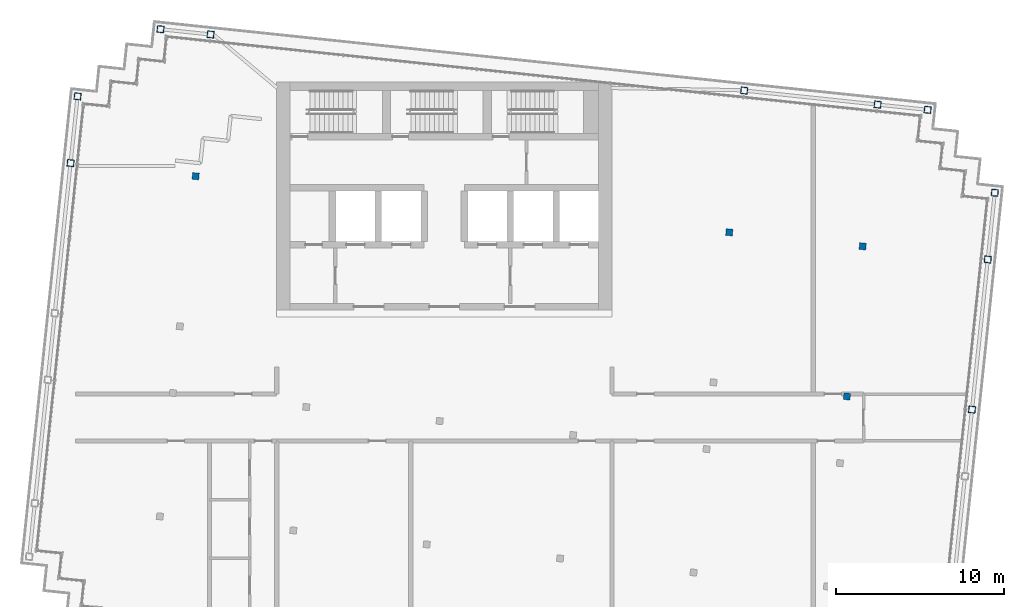
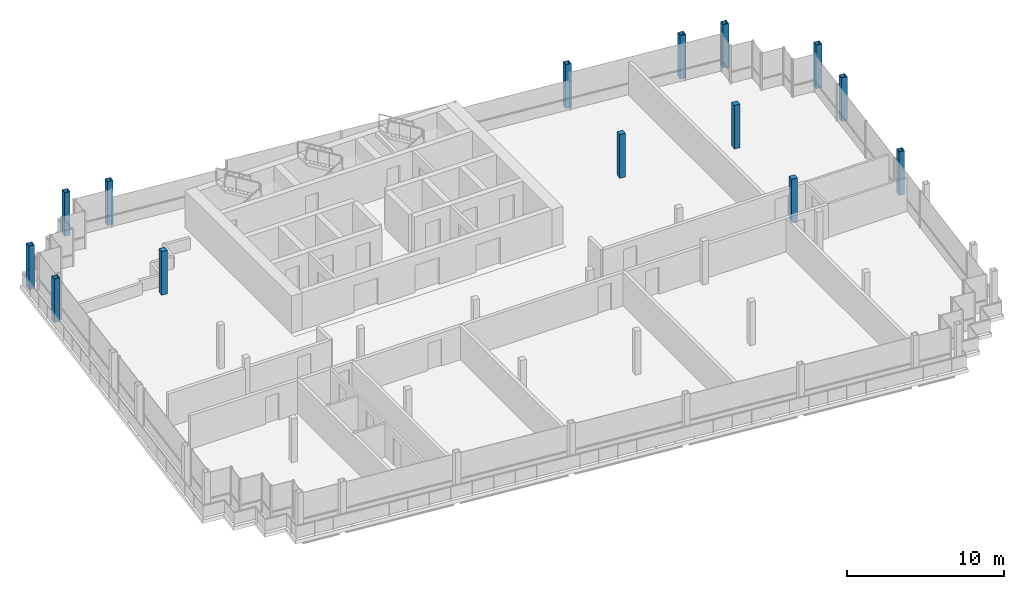
# One storey, part 2 of 15: 14 columns.
"""IFC4 building model written with IfcOpenShell, lengths in metres."""

import ifcopenshell
import ifcopenshell.guid

model = None  # the IFC model being written
_history = None  # IfcOwnerHistory: only IFC2X3 demands one
_inside = {}  # id of a spatial element -> (the spatial element, [elements in it])
_under = {}  # id of a project, library or spatial element -> (it, [spatial elements below it])
_declared = {}  # id of a project -> (the project, [libraries it declares])
_typed = {}  # id of a type object -> (the type object, [elements of that type])
_made_of = {}  # id of a material, layer set ... -> (it, [elements and type objects made of it])


def new_model(schema):
    """Start an empty IFC model of exactly this schema.

    Asked for "IFC4X3", IfcOpenShell would pick the latest addendum, in which some entities
    have other attributes; the version numbers below select the first issue.
    IFC2X3 requires an IfcOwnerHistory on every rooted entity: one is made here for all.
    """
    global model, _history
    if schema == "IFC4X3":
        model = ifcopenshell.file(schema_version=(4, 3, 0, 0))
    else:
        model = ifcopenshell.file(schema=schema)
    _inside.clear()
    _under.clear()
    _declared.clear()
    _typed.clear()
    _made_of.clear()
    _history = None
    if model.schema == "IFC2X3":
        org = make("IfcOrganization", Name="unknown")
        user = make(
            "IfcPersonAndOrganization",
            ThePerson=make("IfcPerson", FamilyName="unknown"),
            TheOrganization=org,
        )
        app = make(
            "IfcApplication",
            ApplicationDeveloper=org,
            Version="unknown",
            ApplicationFullName="unknown",
            ApplicationIdentifier="unknown",
        )
        _history = make(
            "IfcOwnerHistory",
            OwningUser=user,
            OwningApplication=app,
            ChangeAction="ADDED",
            CreationDate=0,
        )
    return model


def make(cls, **values):
    """One entity of the class cls with the attributes given. An attribute that is None is left unset."""
    return model.create_entity(
        cls, **{name: value for name, value in values.items() if value is not None}
    )


def rooted(cls, **values):
    """An entity with a GlobalId (a new one), such as an element, a storey or a relation."""
    return make(cls, GlobalId=ifcopenshell.guid.new(), OwnerHistory=_history, **values)


def si_unit(unit_type, name, prefix=None):
    """IfcSIUnit, for example si_unit("LENGTHUNIT", "METRE", prefix="MILLI")."""
    return make("IfcSIUnit", UnitType=unit_type, Prefix=prefix, Name=name)


def assignment(units):
    """IfcUnitAssignment: the units of a project."""
    return None if units is None else make("IfcUnitAssignment", Units=units)


def point(xyz):
    """IfcCartesianPoint."""
    return None if xyz is None else make("IfcCartesianPoint", Coordinates=xyz)


def direction(xyz):
    """IfcDirection."""
    return None if xyz is None else make("IfcDirection", DirectionRatios=xyz)


def frame(location, z_axis=None, x_axis=None):
    """IfcAxis2Placement3D, a coordinate frame: its origin and axes. An axis left out is left unset."""
    return make(
        "IfcAxis2Placement3D",
        Location=point(location),
        Axis=direction(z_axis),
        RefDirection=direction(x_axis),
    )


def frame_2d(location, x_axis=None):
    """IfcAxis2Placement2D, a coordinate frame in the plane: its origin and x axis."""
    return make(
        "IfcAxis2Placement2D", Location=point(location), RefDirection=direction(x_axis)
    )


def origin():
    """The frame at (0, 0, 0) with its axes left unset."""
    return frame((0.0, 0.0, 0.0))


def origin_2d():
    """The frame at (0, 0) in the plane with its x axis left unset."""
    return frame_2d((0.0, 0.0))


def place(relative_to, where):
    """IfcLocalPlacement: puts the frame where relative to a parent placement (None: the world)."""
    return make(
        "IfcLocalPlacement", PlacementRelTo=relative_to, RelativePlacement=where
    )


def context(
    kind, dimensions, precision=None, world=None, true_north=None, identifier=None
):
    """IfcGeometricRepresentationContext, for example the 3D "Model" context."""
    return make(
        "IfcGeometricRepresentationContext",
        ContextIdentifier=identifier,
        ContextType=kind,
        CoordinateSpaceDimension=dimensions,
        Precision=precision,
        WorldCoordinateSystem=world,
        TrueNorth=true_north,
    )


def subcontext(parent, identifier, kind, view, scale=None):
    """IfcGeometricRepresentationSubContext, for example "Body" below "Model"."""
    return make(
        "IfcGeometricRepresentationSubContext",
        ContextIdentifier=identifier,
        ContextType=kind,
        ParentContext=parent,
        TargetScale=scale,
        TargetView=view,
    )


def project(units=None, contexts=None):
    """IfcProject with its units and contexts."""
    return rooted(
        "IfcProject",
        Name="project",
        RepresentationContexts=contexts,
        UnitsInContext=assignment(units),
    )


def spatial(cls, under=None, at=None, **own):
    """A site, building, storey or space (cls), placed at a placement, below another one or the project."""
    s = rooted(cls, ObjectPlacement=at, **own)
    if under is not None:
        _under.setdefault(under.id(), (under, []))[1].append(s)
    return s


def profile(cls, at=None, kind="AREA", **sizes):
    """A parametric profile (cls). Its sizes go by their IFC names, for example OverallWidth=200.0."""
    return make(cls, ProfileType=kind, Position=at, **sizes)


def rectangle(**sizes):
    """IfcRectangleProfileDef."""
    return profile("IfcRectangleProfileDef", **sizes)


def hollow_rectangle(**sizes):
    """IfcRectangleHollowProfileDef."""
    return profile("IfcRectangleHollowProfileDef", **sizes)


def extrude(swept, where, along, depth):
    """IfcExtrudedAreaSolid: the profile swept, set in the frame where, extruded along a direction by depth."""
    return make(
        "IfcExtrudedAreaSolid",
        SweptArea=swept,
        Position=where,
        ExtrudedDirection=direction(along),
        Depth=depth,
    )


def shape(context_of_items, identifier, shape_type, items):
    """IfcShapeRepresentation: the items that make up one representation, for example the "Body"."""
    return make(
        "IfcShapeRepresentation",
        ContextOfItems=context_of_items,
        RepresentationIdentifier=identifier,
        RepresentationType=shape_type,
        Items=items,
    )


def material(Name=None, Category=None):
    """IfcMaterial."""
    return make("IfcMaterial", Name=Name, Category=Category)


def material_profile(
    of_material, cross_section, Name=None, Category=None, Priority=None
):
    """IfcMaterialProfile: a cross section and its material."""
    return make(
        "IfcMaterialProfile",
        Name=Name,
        Material=of_material,
        Profile=cross_section,
        Priority=Priority,
        Category=Category,
    )


def profile_set(profiles, Name=None, composite=None):
    """IfcMaterialProfileSet."""
    return make(
        "IfcMaterialProfileSet",
        Name=Name,
        MaterialProfiles=profiles,
        CompositeProfile=composite,
    )


def made_of(thing, what):
    """Note that an element or type object is made of a material, layer set ...; save() writes the relation."""
    if what is not None:
        _made_of.setdefault(what.id(), (what, []))[1].append(thing)
    return thing


def type_object(cls, material=None, **own):
    """A type object (cls), such as IfcWallType, which elements share."""
    return made_of(rooted(cls, **own), material)


def element(
    cls,
    number,
    at=None,
    inside=None,
    cuts=None,
    type_object=None,
    material=None,
    context=None,
    identifier="Body",
    shape_type=None,
    held_by="IfcProductDefinitionShape",
    body=None,
    shapes=None,
    **own,
):
    """One element of the class cls, such as IfcWall. Its Tag is "e" and its number.

    at: its placement. inside: the storey or other place that contains it. cuts: it is an
    opening in that element (IfcRelVoidsElement). A single representation is given by context,
    identifier, shape_type and body (its items); several are given by shapes. held_by: the class
    of the entity that holds the representations. save() writes the other relations.
    """
    e = rooted(cls, Tag="e%d" % number, ObjectPlacement=at, **own)
    if body is not None:
        shapes = [shape(context, identifier, shape_type, body)]
    if shapes is not None:
        e.Representation = make(held_by, Representations=shapes)
    if inside is not None:
        _inside.setdefault(inside.id(), (inside, []))[1].append(e)
    if cuts is not None:
        rooted(
            "IfcRelVoidsElement", RelatingBuildingElement=cuts, RelatedOpeningElement=e
        )
    if type_object is not None:
        _typed.setdefault(type_object.id(), (type_object, []))[1].append(e)
    return made_of(e, material)


def aggregate(whole, parts):
    """IfcRelAggregates: a whole, such as a stair, and the parts it consists of."""
    return rooted("IfcRelAggregates", RelatingObject=whole, RelatedObjects=parts)


def save(model, path):
    """Write the relations noted so far, then the file.

    IfcRelAggregates (storeys below a building ...), IfcRelContainedInSpatialStructure (elements
    in a storey), IfcRelDefinesByType, IfcRelAssociatesMaterial and IfcRelDeclares: one each for
    every whole, place, type object, material and project.
    """
    for whole, parts in _under.values():
        aggregate(whole, parts)
    for where, things in _inside.values():
        rooted(
            "IfcRelContainedInSpatialStructure",
            RelatedElements=things,
            RelatingStructure=where,
        )
    for kind, things in _typed.values():
        rooted("IfcRelDefinesByType", RelatedObjects=things, RelatingType=kind)
    for what, things in _made_of.values():
        rooted("IfcRelAssociatesMaterial", RelatedObjects=things, RelatingMaterial=what)
    for by, libraries in _declared.values():
        rooted("IfcRelDeclares", RelatingContext=by, RelatedDefinitions=libraries)
    model.write(path)


model = new_model("IFC4")

# Units and contexts
model_context = context("Model", 3, precision=1e-05, world=origin(), true_north=direction((0.0, 1.0)))
body_context = subcontext(model_context, "Body", "Model", "MODEL_VIEW")
ifc_project = project(units=[si_unit("LENGTHUNIT", "METRE"), si_unit("AREAUNIT", "SQUARE_METRE"), si_unit("VOLUMEUNIT", "CUBIC_METRE"), si_unit("PLANEANGLEUNIT", "RADIAN"), si_unit("MASSUNIT", "GRAM", prefix="KILO")], contexts=[model_context])

# Site, building, storey
site_placement = place(None, origin())
site = spatial("IfcSite", under=ifc_project, at=site_placement, CompositionType="ELEMENT")
building_placement = place(site_placement, origin())
building = spatial("IfcBuilding", under=site, at=building_placement, Name="Vidyagriha Tower", CompositionType="ELEMENT")
storey_placement = place(building_placement, frame((0.0, 0.0, 298.300048828125)))
storey = spatial("IfcBuildingStorey", under=building, at=storey_placement, Name="L77", CompositionType="ELEMENT", Elevation=298.300048828125)

# Columns
ifc_material_1 = material(Name="Steel ASTM A572 Grade 50", Category="steel")
ifc_material_profile_1 = material_profile(ifc_material_1, hollow_rectangle(XDim=0.39990234375, YDim=0.39990234375, WallThickness=0.02001953125, at=origin_2d()), Name="BOX 400x400x20")
ifc_profile_set_1 = profile_set([ifc_material_profile_1], Name="Steel ASTM A572 Grade 50")
column_type_1 = type_object("IfcColumnType", Name="Exoskeleton column BOX 400x400x20", PredefinedType="COLUMN", material=ifc_profile_set_1)
for number, where, z_axis, x_axis, name in (
    (1, (31.4677734375, 0.47412109375, 0.0), (0.0, 0.0, 1.0), (0.994521895368, -0.104528463268, 0.0), "st-col-L77-B6-031"),
    (2, (-22.2900390625, 15.173828125, 0.0), (0.0, 0.0, 1.0), (0.994521895368, -0.104528463268, 0.0), "st-col-L77-B6-032"),
    (3, (32.40869140625, 9.4248046875, 0.0), (0.0, 0.0, 1.0), (0.994521895368, -0.104528463268, 0.0), "st-col-L77-B6-036"),
    (4, (-21.8720703125, 19.15185546875, 0.0), (0.0, 0.0, 1.0), (0.994521895368, -0.104528463268, 0.0), "st-col-L77-B6-037"),
    (5, (32.82666015625, 13.40283203125, 0.0), (0.0, 0.0, 1.0), (0.994521895368, -0.104528463268, 0.0), "st-col-L77-B6-038"),
    (6, (-16.92626953125, 23.156982421875, 0.0), (0.0, 0.0, 1.0), (0.994521895368, -0.104528463268, 0.0), "st-col-L77-B6-039"),
    (7, (-13.942626953125, 22.84326171875, 0.0), (0.0, 0.0, 1.0), (0.994521895368, -0.104528463268, 0.0), "st-col-L77-B6-040"),
    (8, (17.882080078125, 19.498291015625, 0.0), (0.0, 0.0, 1.0), (0.994521895368, -0.104528463268, 0.0), "st-col-L77-B6-041"),
    (9, (25.838134765625, 18.662109375, 0.0), (0.0, 0.0, 1.0), (0.994521895368, -0.104528463268, 0.0), "st-col-L77-B6-042"),
    (10, (28.82177734375, 18.3486328125, 0.0), (0.0, 0.0, 1.0), (0.994521895368, -0.104528463268, 0.0), "st-col-L77-B6-043"),
):
    element("IfcColumn", number, at=place(storey_placement, frame(where, z_axis=z_axis, x_axis=x_axis)), inside=storey, type_object=column_type_1, Name=name, PredefinedType="COLUMN", context=body_context, shape_type="SweptSolid", body=[
        extrude(hollow_rectangle(XDim=0.39990234375, YDim=0.39990234375, WallThickness=0.02001953125, at=origin_2d()), origin(), (0.0, 0.0, 1.0), 3.39990234375),
    ])
ifc_material_2 = material(Name="Concrete C60/75", Category="concrete")
ifc_material_profile_2 = material_profile(ifc_material_2, rectangle(XDim=0.39990234375, YDim=0.39990234375, at=origin_2d()), Name="RC 400x400")
ifc_profile_set_2 = profile_set([ifc_material_profile_2], Name="Concrete C60/75")
column_type_2 = type_object("IfcColumnType", Name="Frame column RC 400x400", PredefinedType="COLUMN", material=ifc_profile_set_2)
for number, where, z_axis, x_axis, name in (
    (11, (24.0087890625, 1.258056640625, 0.0), (0.0, 0.0, 1.0), (0.994521895368, -0.104528463268, 0.0), "st-col-L77-B6-030"),
    (12, (-14.831298828125, 14.389892578125, 0.0), (0.0, 0.0, 1.0), (0.994521895368, -0.104528463268, 0.0), "st-col-L77-B6-033"),
    (13, (16.993408203125, 11.044921875, 0.0), (0.0, 0.0, 1.0), (0.994521895368, -0.104528463268, 0.0), "st-col-L77-B6-034"),
    (14, (24.94970703125, 10.208740234375, 0.0), (0.0, 0.0, 1.0), (0.994521895368, -0.104528463268, 0.0), "st-col-L77-B6-035"),
):
    element("IfcColumn", number, at=place(storey_placement, frame(where, z_axis=z_axis, x_axis=x_axis)), inside=storey, type_object=column_type_2, Name=name, PredefinedType="COLUMN", context=body_context, shape_type="SweptSolid", body=[
        extrude(rectangle(XDim=0.39990234375, YDim=0.39990234375, at=origin_2d()), origin(), (0.0, 0.0, 1.0), 3.39990234375),
    ])

save(model, "model.ifc")
